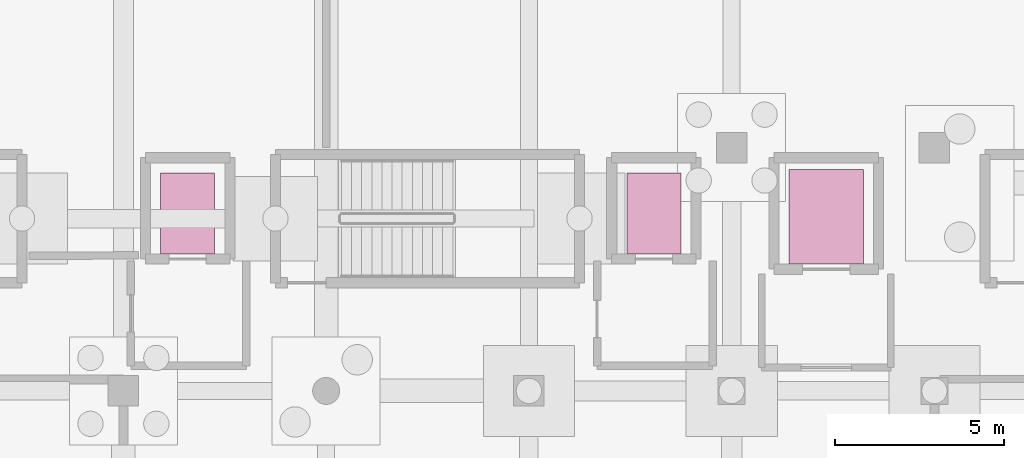
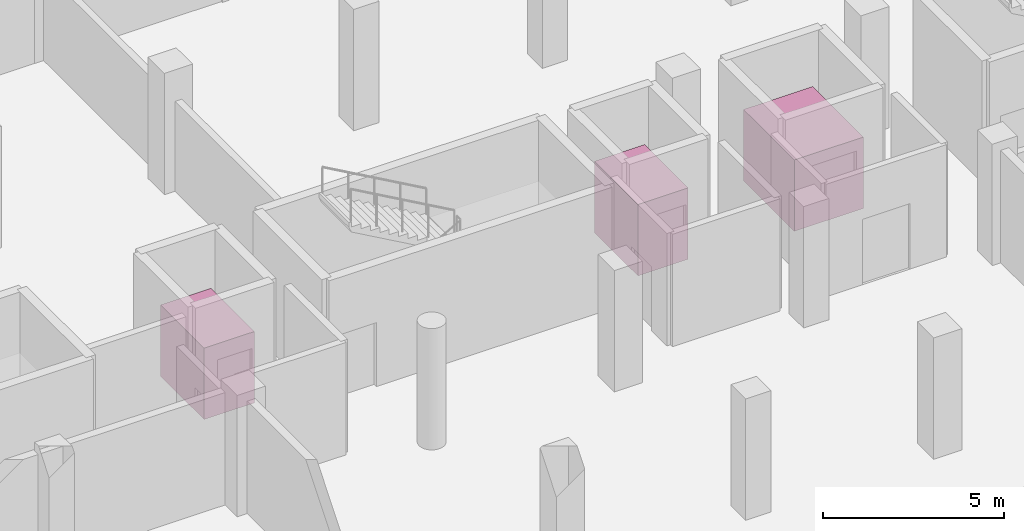
# One storey, part 11 of 11: 3 transport elements.
"""IFC4 building model written with IfcOpenShell, lengths in metres."""

from ifc_helpers import new_model, si_unit, direction, frame, origin, origin_2d, place, context, subcontext, project, spatial, rectangle, extrude, material, type_object, element, save


model = new_model("IFC4")

# Units and contexts
model_context = context("Model", 3, precision=1e-05, world=origin(), true_north=direction((0.0, 1.0)))
body_context = subcontext(model_context, "Body", "Model", "MODEL_VIEW")
ifc_project = project(units=[si_unit("LENGTHUNIT", "METRE"), si_unit("AREAUNIT", "SQUARE_METRE"), si_unit("VOLUMEUNIT", "CUBIC_METRE"), si_unit("PLANEANGLEUNIT", "RADIAN"), si_unit("MASSUNIT", "GRAM", prefix="KILO")], contexts=[model_context])

# Site, building, storey
site_placement = place(None, origin())
site = spatial("IfcSite", under=ifc_project, at=site_placement, CompositionType="ELEMENT")
building_placement = place(site_placement, origin())
building = spatial("IfcBuilding", under=site, at=building_placement, Name="Dunvalen Ferry Terminal", CompositionType="ELEMENT")
storey_placement = place(building_placement, frame((0.0, 0.0, -4.080078125)))
storey = spatial("IfcBuildingStorey", under=building, at=storey_placement, Name="B1", CompositionType="ELEMENT", Elevation=-4.080078125)

# Transport elements
ifc_material_1 = material(Name="Brushed 316 stainless steel", Category="steel")
transport_element_type_1 = type_object("IfcTransportElementType", Name="INT-LFT-FF1600", PredefinedType="ELEVATOR", material=ifc_material_1)
for number, where, z_axis, x_axis, name in (
    (1, (37.89990234375, 19.652099609375, 0.000244140625), (0.0, 0.0, 1.0), (1.0, 0.0, 0.0), "LF-01 Firefighting Lift Car"),
    (2, (51.699951171875, 19.652099609375, 0.000244140625), (0.0, 0.0, 1.0), (1.0, 0.0, 0.0), "LF-02 Firefighting Lift Car"),
):
    element("IfcTransportElement", number, at=place(storey_placement, frame(where, z_axis=z_axis, x_axis=x_axis)), inside=storey, type_object=transport_element_type_1, Name=name, PredefinedType="ELEVATOR", context=body_context, shape_type="SweptSolid", body=[
        extrude(rectangle(XDim=1.60009765625, YDim=2.39990234375, at=origin_2d()), origin(), (0.0, 0.0, 1.0), 2.39990234375),
    ])
ifc_material_2 = material(Name="Heavy-duty chequer-plate stainless steel", Category="steel")
transport_element_type_2 = type_object("IfcTransportElementType", Name="INT-LFT-GDS3000", PredefinedType="ELEVATOR", material=ifc_material_2)
transport_element_placement = place(storey_placement, frame((56.800048828125, 19.552001953125, 0.000244140625), z_axis=(0.0, 0.0, 1.0), x_axis=(1.0, 0.0, 0.0)))
element("IfcTransportElement", 3, at=transport_element_placement, inside=storey, type_object=transport_element_type_2, Name="LG-01 Goods Lift Car", PredefinedType="ELEVATOR", context=body_context, shape_type="SweptSolid", body=[
    extrude(rectangle(XDim=2.199951171875, YDim=2.800048828125, at=origin_2d()), origin(), (0.0, 0.0, 1.0), 2.39990234375),
])

save(model, "model.ifc")
